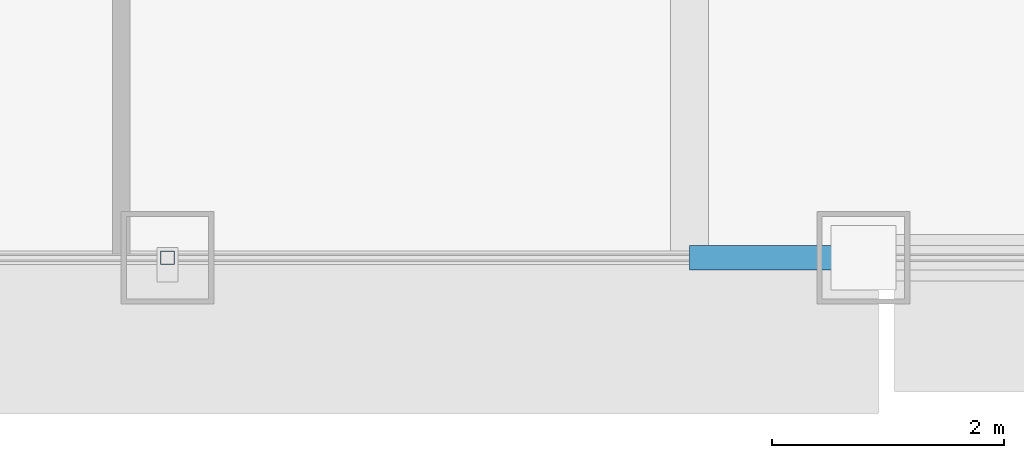
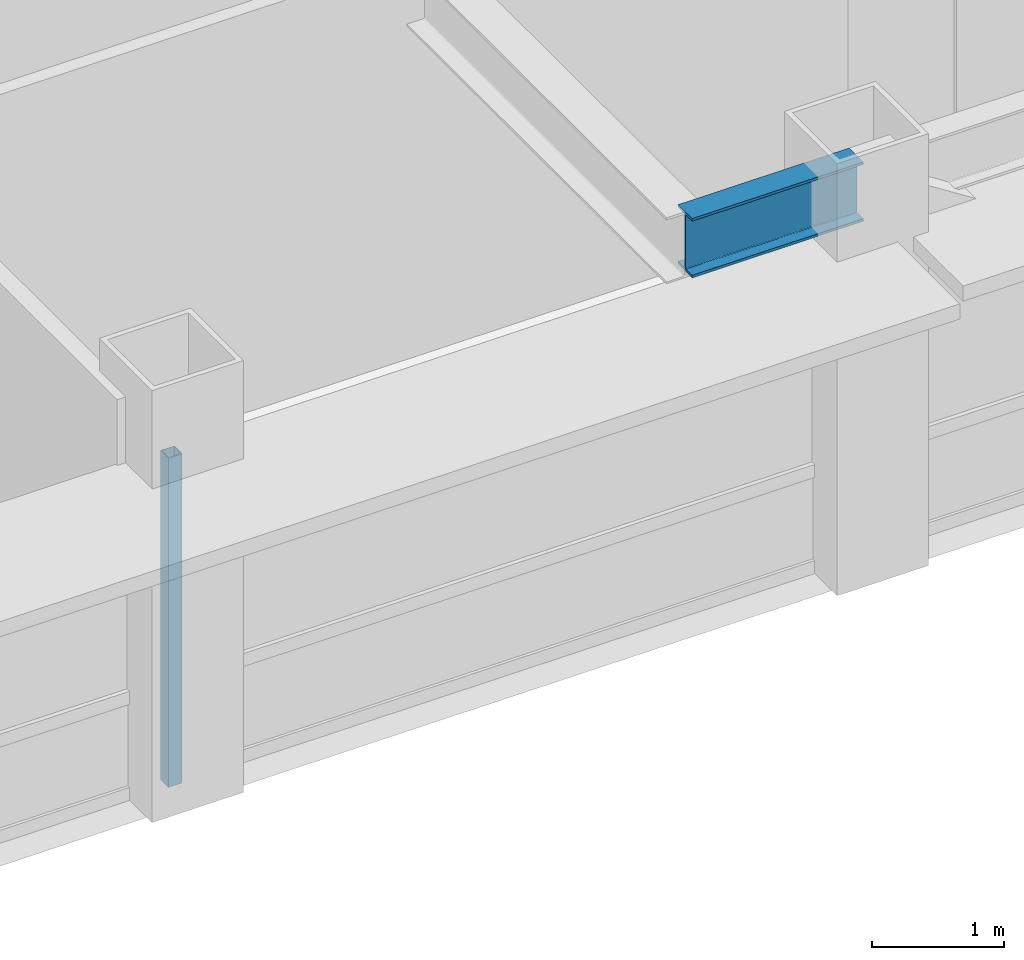
# One storey, part 4 of 32: 1 beam, 1 member, 1 element without a shape of its own.
"""IFC4 building model written with IfcOpenShell, lengths in metres."""

from ifc_helpers import new_model, si_unit, direction, frame, origin, origin_2d, place, context, subcontext, project, spatial, hollow_rectangle, i_section, extrude, source, transform, mapped, material, material_profile, profile_set, type_object, element, aggregate, save


model = new_model("IFC4")

# Units and contexts
model_context = context("Model", 3, precision=1e-05, world=origin(), true_north=direction((0.0, 1.0)))
body_context = subcontext(model_context, "Body", "Model", "MODEL_VIEW")
ifc_project = project(units=[si_unit("LENGTHUNIT", "METRE"), si_unit("AREAUNIT", "SQUARE_METRE"), si_unit("VOLUMEUNIT", "CUBIC_METRE"), si_unit("PLANEANGLEUNIT", "RADIAN"), si_unit("MASSUNIT", "GRAM", prefix="KILO")], contexts=[model_context])

# Site, building, storey
site_placement = place(None, origin())
site = spatial("IfcSite", under=ifc_project, at=site_placement, CompositionType="ELEMENT")
building_placement = place(site_placement, origin())
building = spatial("IfcBuilding", under=site, at=building_placement, Name="Khorayat Bourse Tower", CompositionType="ELEMENT")
storey_placement = place(building_placement, frame((0.0, 0.0, 342.300048828125)))
storey = spatial("IfcBuildingStorey", under=building, at=storey_placement, Name="L81", CompositionType="ELEMENT", Elevation=342.300048828125)

# Beam
ifc_material_1 = material(Name="Steel ASTM A992 Grade 50", Category="steel")
ifc_material_profile_1 = material_profile(ifc_material_1, i_section(OverallWidth=0.214111328125, OverallDepth=0.549072265625, WebThickness=0.0146484375, FlangeThickness=0.023681640625, FilletRadius=0.013916015625, at=origin_2d()), Name="W530X138")
ifc_profile_set_1 = profile_set([ifc_material_profile_1], Name="Steel ASTM A992 Grade 50")
beam_type = type_object("IfcBeamType", Name="BM-SPAN-530", PredefinedType="SPANDREL", material=ifc_profile_set_1)
shared_shape_1 = source(origin(), body_context, "Body", "SweptSolid", [
    extrude(i_section(OverallWidth=0.214111328125, OverallDepth=0.549072265625, WebThickness=0.0146484375, FlangeThickness=0.023681640625, FilletRadius=0.013916015625, at=origin_2d()), origin(), (0.0, 0.0, 1.0), 1.5),
])
beam_placement = place(storey_placement, frame((4.5, -26.0, 3.425537109375), z_axis=(1.0, 0.0, 0.0), x_axis=(0.0, 1.0, 0.0)))
element("IfcBeam", 1, at=beam_placement, inside=storey, type_object=beam_type, Name="L81 BM-SPAN-530 BM-L81-SPN-024", PredefinedType="SPANDREL", context=body_context, shape_type="MappedRepresentation", body=[
    mapped(shared_shape_1, transform((0.0, 0.0, 0.0), scale=1.0)),
])

# Curtain wall, member
ifc_material_2 = material(Name="Aluminium EN AW-6063 T6", Category="aluminium")
curtain_wall_type = type_object("IfcCurtainWallType", Name="CW-SYS-04", PredefinedType="NOTDEFINED", material=ifc_material_2)
curtain_wall_placement = place(storey_placement, origin())
curtain_wall = element("IfcCurtainWall", 2, at=curtain_wall_placement, inside=storey, type_object=curtain_wall_type, Name="L81 Curtain Wall CW-L81-S1", PredefinedType="NOTDEFINED")
ifc_material_profile_2 = material_profile(ifc_material_2, hollow_rectangle(XDim=0.1201171875, YDim=0.1201171875, WallThickness=0.0048828125, at=origin_2d()), Name="ALU 120x120x5")
ifc_profile_set_2 = profile_set([ifc_material_profile_2], Name="Aluminium EN AW-6063 T6")
member_type = type_object("IfcMemberType", Name="CWM-VERT-120", PredefinedType="MULLION", material=ifc_profile_set_2)
shared_shape_2 = source(origin(), body_context, "Body", "SweptSolid", [
    extrude(hollow_rectangle(XDim=0.1201171875, YDim=0.1201171875, WallThickness=0.0048828125, at=origin_2d()), origin(), (0.0, 0.0, 1.0), 3.050048828125),
])
member_placement = place(storey_placement, frame((0.0, -26.0, 0.0), z_axis=(0.0, 0.0, 1.0), x_axis=(0.0, 1.0, 0.0)))
member = element("IfcMember", 3, at=member_placement, type_object=member_type, Name="CW-L81-S1 Vertical Mullion 2", PredefinedType="MULLION", context=body_context, shape_type="MappedRepresentation", body=[
    mapped(shared_shape_2, transform((0.0, 0.0, 0.0), scale=1.0)),
])
aggregate(curtain_wall, [member])

save(model, "model.ifc")
